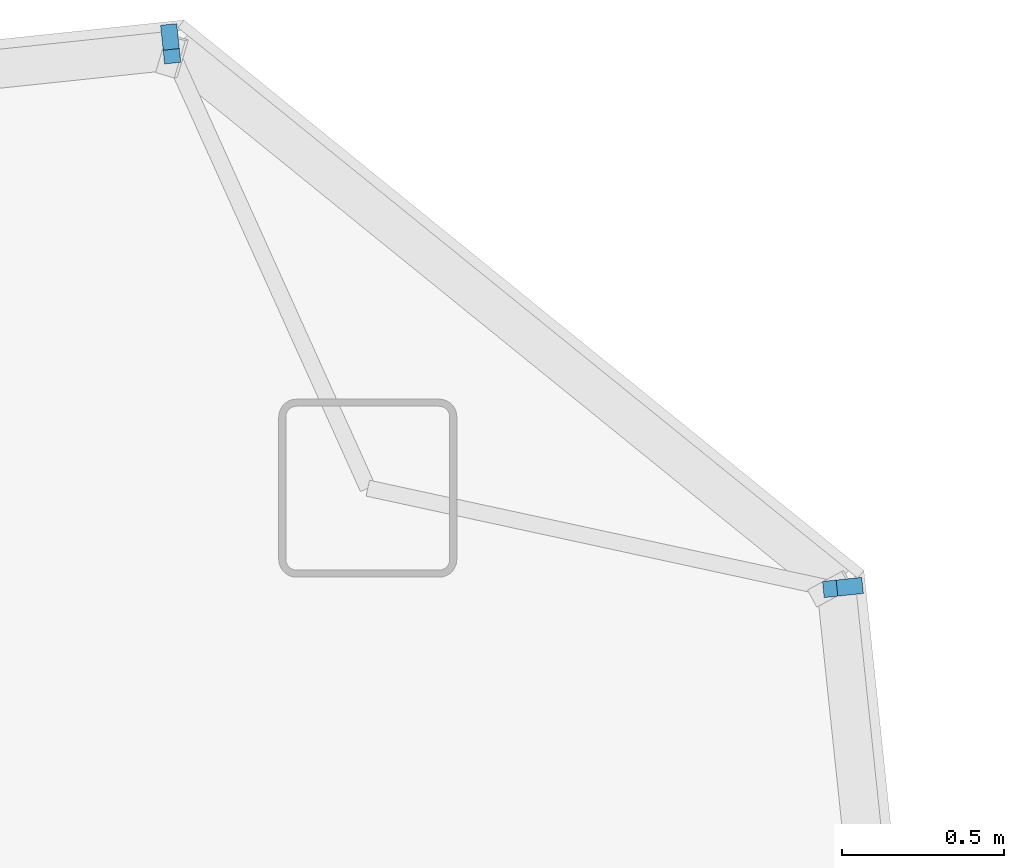
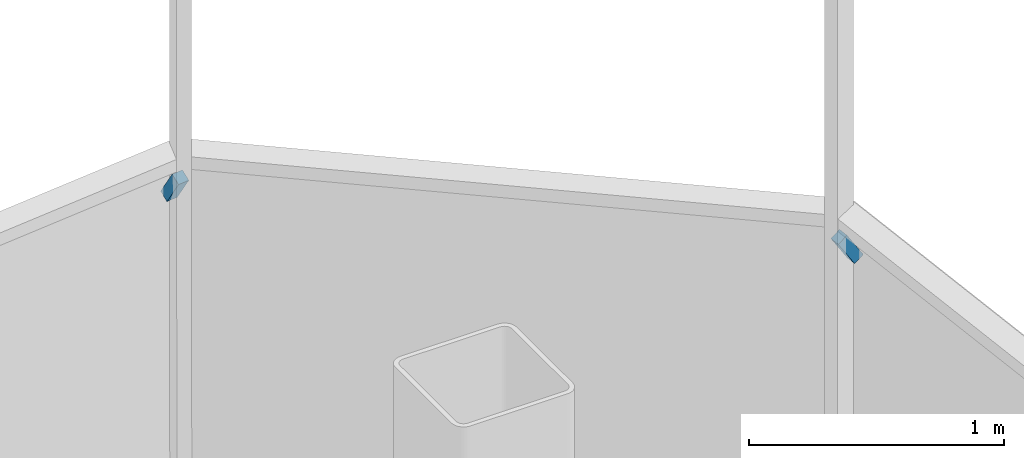
# One storey, part 36 of 41: 2 discrete accessories.
"""IFC4 building model written with IfcOpenShell, lengths in metres."""

import ifcopenshell
import ifcopenshell.guid

model = None  # the IFC model being written
_history = None  # IfcOwnerHistory: only IFC2X3 demands one
_inside = {}  # id of a spatial element -> (the spatial element, [elements in it])
_under = {}  # id of a project, library or spatial element -> (it, [spatial elements below it])
_declared = {}  # id of a project -> (the project, [libraries it declares])
_typed = {}  # id of a type object -> (the type object, [elements of that type])
_made_of = {}  # id of a material, layer set ... -> (it, [elements and type objects made of it])


def new_model(schema):
    """Start an empty IFC model of exactly this schema.

    Asked for "IFC4X3", IfcOpenShell would pick the latest addendum, in which some entities
    have other attributes; the version numbers below select the first issue.
    IFC2X3 requires an IfcOwnerHistory on every rooted entity: one is made here for all.
    """
    global model, _history
    if schema == "IFC4X3":
        model = ifcopenshell.file(schema_version=(4, 3, 0, 0))
    else:
        model = ifcopenshell.file(schema=schema)
    _inside.clear()
    _under.clear()
    _declared.clear()
    _typed.clear()
    _made_of.clear()
    _history = None
    if model.schema == "IFC2X3":
        org = make("IfcOrganization", Name="unknown")
        user = make(
            "IfcPersonAndOrganization",
            ThePerson=make("IfcPerson", FamilyName="unknown"),
            TheOrganization=org,
        )
        app = make(
            "IfcApplication",
            ApplicationDeveloper=org,
            Version="unknown",
            ApplicationFullName="unknown",
            ApplicationIdentifier="unknown",
        )
        _history = make(
            "IfcOwnerHistory",
            OwningUser=user,
            OwningApplication=app,
            ChangeAction="ADDED",
            CreationDate=0,
        )
    return model


def make(cls, **values):
    """One entity of the class cls with the attributes given. An attribute that is None is left unset."""
    return model.create_entity(
        cls, **{name: value for name, value in values.items() if value is not None}
    )


def rooted(cls, **values):
    """An entity with a GlobalId (a new one), such as an element, a storey or a relation."""
    return make(cls, GlobalId=ifcopenshell.guid.new(), OwnerHistory=_history, **values)


def si_unit(unit_type, name, prefix=None):
    """IfcSIUnit, for example si_unit("LENGTHUNIT", "METRE", prefix="MILLI")."""
    return make("IfcSIUnit", UnitType=unit_type, Prefix=prefix, Name=name)


def assignment(units):
    """IfcUnitAssignment: the units of a project."""
    return None if units is None else make("IfcUnitAssignment", Units=units)


def point(xyz):
    """IfcCartesianPoint."""
    return None if xyz is None else make("IfcCartesianPoint", Coordinates=xyz)


def direction(xyz):
    """IfcDirection."""
    return None if xyz is None else make("IfcDirection", DirectionRatios=xyz)


def frame(location, z_axis=None, x_axis=None):
    """IfcAxis2Placement3D, a coordinate frame: its origin and axes. An axis left out is left unset."""
    return make(
        "IfcAxis2Placement3D",
        Location=point(location),
        Axis=direction(z_axis),
        RefDirection=direction(x_axis),
    )


def frame_2d(location, x_axis=None):
    """IfcAxis2Placement2D, a coordinate frame in the plane: its origin and x axis."""
    return make(
        "IfcAxis2Placement2D", Location=point(location), RefDirection=direction(x_axis)
    )


def origin():
    """The frame at (0, 0, 0) with its axes left unset."""
    return frame((0.0, 0.0, 0.0))


def origin_2d():
    """The frame at (0, 0) in the plane with its x axis left unset."""
    return frame_2d((0.0, 0.0))


def place(relative_to, where):
    """IfcLocalPlacement: puts the frame where relative to a parent placement (None: the world)."""
    return make(
        "IfcLocalPlacement", PlacementRelTo=relative_to, RelativePlacement=where
    )


def context(
    kind, dimensions, precision=None, world=None, true_north=None, identifier=None
):
    """IfcGeometricRepresentationContext, for example the 3D "Model" context."""
    return make(
        "IfcGeometricRepresentationContext",
        ContextIdentifier=identifier,
        ContextType=kind,
        CoordinateSpaceDimension=dimensions,
        Precision=precision,
        WorldCoordinateSystem=world,
        TrueNorth=true_north,
    )


def subcontext(parent, identifier, kind, view, scale=None):
    """IfcGeometricRepresentationSubContext, for example "Body" below "Model"."""
    return make(
        "IfcGeometricRepresentationSubContext",
        ContextIdentifier=identifier,
        ContextType=kind,
        ParentContext=parent,
        TargetScale=scale,
        TargetView=view,
    )


def project(units=None, contexts=None):
    """IfcProject with its units and contexts."""
    return rooted(
        "IfcProject",
        Name="project",
        RepresentationContexts=contexts,
        UnitsInContext=assignment(units),
    )


def spatial(cls, under=None, at=None, **own):
    """A site, building, storey or space (cls), placed at a placement, below another one or the project."""
    s = rooted(cls, ObjectPlacement=at, **own)
    if under is not None:
        _under.setdefault(under.id(), (under, []))[1].append(s)
    return s


def profile(cls, at=None, kind="AREA", **sizes):
    """A parametric profile (cls). Its sizes go by their IFC names, for example OverallWidth=200.0."""
    return make(cls, ProfileType=kind, Position=at, **sizes)


def rectangle(**sizes):
    """IfcRectangleProfileDef."""
    return profile("IfcRectangleProfileDef", **sizes)


def extrude(swept, where, along, depth):
    """IfcExtrudedAreaSolid: the profile swept, set in the frame where, extruded along a direction by depth."""
    return make(
        "IfcExtrudedAreaSolid",
        SweptArea=swept,
        Position=where,
        ExtrudedDirection=direction(along),
        Depth=depth,
    )


def shape(context_of_items, identifier, shape_type, items):
    """IfcShapeRepresentation: the items that make up one representation, for example the "Body"."""
    return make(
        "IfcShapeRepresentation",
        ContextOfItems=context_of_items,
        RepresentationIdentifier=identifier,
        RepresentationType=shape_type,
        Items=items,
    )


def material(Name=None, Category=None):
    """IfcMaterial."""
    return make("IfcMaterial", Name=Name, Category=Category)


def material_profile(
    of_material, cross_section, Name=None, Category=None, Priority=None
):
    """IfcMaterialProfile: a cross section and its material."""
    return make(
        "IfcMaterialProfile",
        Name=Name,
        Material=of_material,
        Profile=cross_section,
        Priority=Priority,
        Category=Category,
    )


def profile_set(profiles, Name=None, composite=None):
    """IfcMaterialProfileSet."""
    return make(
        "IfcMaterialProfileSet",
        Name=Name,
        MaterialProfiles=profiles,
        CompositeProfile=composite,
    )


def made_of(thing, what):
    """Note that an element or type object is made of a material, layer set ...; save() writes the relation."""
    if what is not None:
        _made_of.setdefault(what.id(), (what, []))[1].append(thing)
    return thing


def type_object(cls, material=None, **own):
    """A type object (cls), such as IfcWallType, which elements share."""
    return made_of(rooted(cls, **own), material)


def element(
    cls,
    number,
    at=None,
    inside=None,
    cuts=None,
    type_object=None,
    material=None,
    context=None,
    identifier="Body",
    shape_type=None,
    held_by="IfcProductDefinitionShape",
    body=None,
    shapes=None,
    **own,
):
    """One element of the class cls, such as IfcWall. Its Tag is "e" and its number.

    at: its placement. inside: the storey or other place that contains it. cuts: it is an
    opening in that element (IfcRelVoidsElement). A single representation is given by context,
    identifier, shape_type and body (its items); several are given by shapes. held_by: the class
    of the entity that holds the representations. save() writes the other relations.
    """
    e = rooted(cls, Tag="e%d" % number, ObjectPlacement=at, **own)
    if body is not None:
        shapes = [shape(context, identifier, shape_type, body)]
    if shapes is not None:
        e.Representation = make(held_by, Representations=shapes)
    if inside is not None:
        _inside.setdefault(inside.id(), (inside, []))[1].append(e)
    if cuts is not None:
        rooted(
            "IfcRelVoidsElement", RelatingBuildingElement=cuts, RelatedOpeningElement=e
        )
    if type_object is not None:
        _typed.setdefault(type_object.id(), (type_object, []))[1].append(e)
    return made_of(e, material)


def aggregate(whole, parts):
    """IfcRelAggregates: a whole, such as a stair, and the parts it consists of."""
    return rooted("IfcRelAggregates", RelatingObject=whole, RelatedObjects=parts)


def save(model, path):
    """Write the relations noted so far, then the file.

    IfcRelAggregates (storeys below a building ...), IfcRelContainedInSpatialStructure (elements
    in a storey), IfcRelDefinesByType, IfcRelAssociatesMaterial and IfcRelDeclares: one each for
    every whole, place, type object, material and project.
    """
    for whole, parts in _under.values():
        aggregate(whole, parts)
    for where, things in _inside.values():
        rooted(
            "IfcRelContainedInSpatialStructure",
            RelatedElements=things,
            RelatingStructure=where,
        )
    for kind, things in _typed.values():
        rooted("IfcRelDefinesByType", RelatedObjects=things, RelatingType=kind)
    for what, things in _made_of.values():
        rooted("IfcRelAssociatesMaterial", RelatedObjects=things, RelatingMaterial=what)
    for by, libraries in _declared.values():
        rooted("IfcRelDeclares", RelatingContext=by, RelatedDefinitions=libraries)
    model.write(path)


model = new_model("IFC4")

# Units and contexts
model_context = context("Model", 3, precision=1e-05, world=origin(), true_north=direction((0.0, 1.0)))
body_context = subcontext(model_context, "Body", "Model", "MODEL_VIEW")
ifc_project = project(units=[si_unit("LENGTHUNIT", "METRE"), si_unit("AREAUNIT", "SQUARE_METRE"), si_unit("VOLUMEUNIT", "CUBIC_METRE"), si_unit("PLANEANGLEUNIT", "RADIAN"), si_unit("MASSUNIT", "GRAM", prefix="KILO")], contexts=[model_context])

# Site, building, storey
site_placement = place(None, origin())
site = spatial("IfcSite", under=ifc_project, at=site_placement, CompositionType="ELEMENT")
building_placement = place(site_placement, origin())
building = spatial("IfcBuilding", under=site, at=building_placement, Name="Hakoniwa Tower and Hamabe Station Hall", CompositionType="ELEMENT")
storey_placement = place(building_placement, frame((0.0, 0.0, 276.60009765625)))
storey = spatial("IfcBuildingStorey", under=building, at=storey_placement, Name="L77", CompositionType="ELEMENT", Elevation=276.60009765625)

# Discrete accessories
ifc_material = material(Name="Stainless steel SUS304", Category="steel")
ifc_material_profile = material_profile(ifc_material, rectangle(XDim=0.050048828125, YDim=0.050048828125, at=origin_2d()), Name="CW-4 GLAZING BRACKET 50X50")
ifc_profile_set = profile_set([ifc_material_profile], Name="Stainless steel SUS304")
discrete_accessory_type = type_object("IfcDiscreteAccessoryType", Name="CW-4 GLAZING BRACKET 50X50", PredefinedType="BRACKET", material=ifc_profile_set)
discrete_accessory_1_placement = place(storey_placement, frame((34.14599609375, 23.376220703125, 4.099853515625), z_axis=(-0.05481319218, 0.523216834449, -0.850434981708), x_axis=(-0.99455723192, -0.104191710011, 0.0)))
element("IfcDiscreteAccessory", 1, at=discrete_accessory_1_placement, inside=storey, type_object=discrete_accessory_type, Name="Glazing bracket", PredefinedType="BRACKET", context=body_context, shape_type="SweptSolid", body=[
    extrude(rectangle(XDim=0.050048828125, YDim=0.050048828125, at=origin_2d()), origin(), (0.0, 0.0, 1.0), 0.14697265625),
])
discrete_accessory_2_placement = place(storey_placement, frame((36.178466796875, 21.731689453125, 4.099853515625), z_axis=(0.533898009223, 0.056026334301, -0.843690681241), x_axis=(-0.104365207969, 0.994539040644, 0.0)))
element("IfcDiscreteAccessory", 2, at=discrete_accessory_2_placement, inside=storey, type_object=discrete_accessory_type, Name="Glazing bracket", PredefinedType="BRACKET", context=body_context, shape_type="SweptSolid", body=[
    extrude(rectangle(XDim=0.050048828125, YDim=0.050048828125, at=origin_2d()), origin(), (0.0, 0.0, 1.0), 0.148193359375),
])

save(model, "model.ifc")
